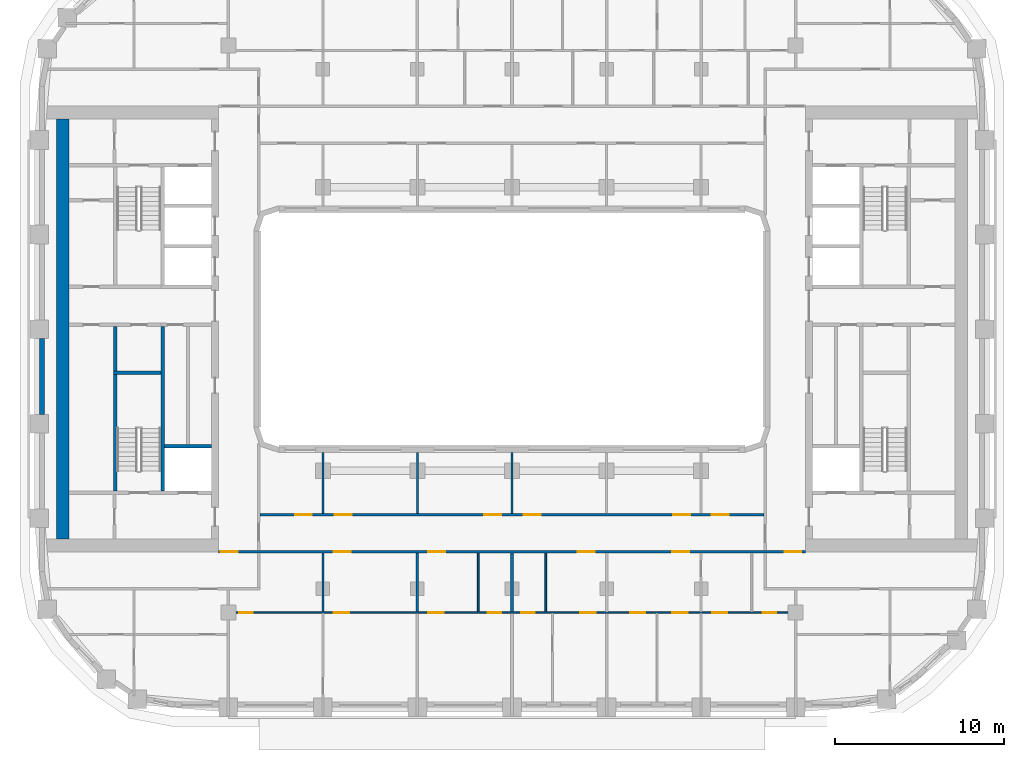
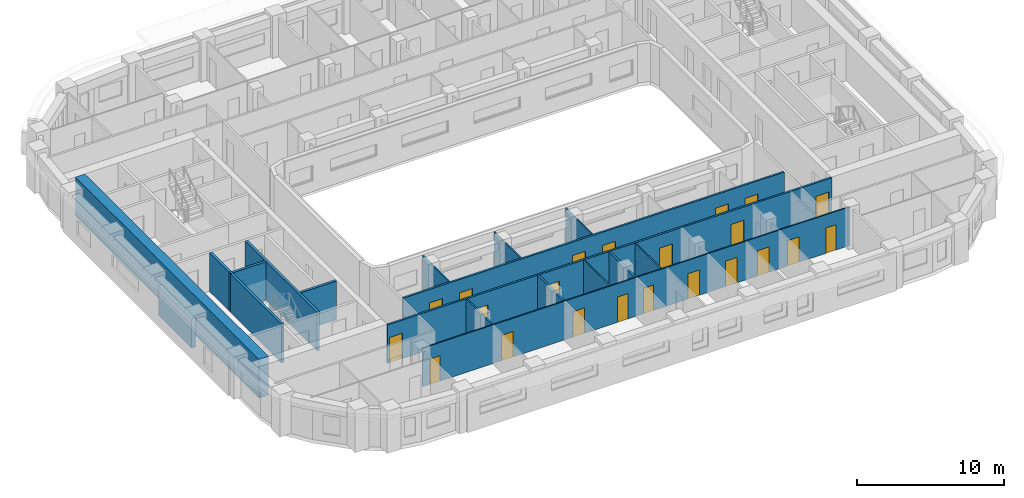
# One storey, part 3 of 22: 22 doors, 18 walls, 22 openings.
"""IFC4 building model written with IfcOpenShell, lengths in metres."""

from ifc_helpers import new_model, si_unit, direction, frame, frame_2d, origin, place, context, subcontext, project, spatial, rectangle, extrude, material, layer, layer_set, type_object, element, fill, save


model = new_model("IFC4")

# Units and contexts
model_context = context("Model", 3, precision=1e-05, world=origin(), true_north=direction((0.0, 1.0)))
body_context = subcontext(model_context, "Body", "Model", "MODEL_VIEW")
ifc_project = project(units=[si_unit("LENGTHUNIT", "METRE"), si_unit("AREAUNIT", "SQUARE_METRE"), si_unit("VOLUMEUNIT", "CUBIC_METRE"), si_unit("PLANEANGLEUNIT", "RADIAN"), si_unit("MASSUNIT", "GRAM", prefix="KILO")], contexts=[model_context])

# Site, building, storey
site_placement = place(None, origin())
site = spatial("IfcSite", under=ifc_project, at=site_placement, CompositionType="ELEMENT")
building_placement = place(site_placement, origin())
building = spatial("IfcBuilding", under=site, at=building_placement, Name="Kiln Ring Residences", CompositionType="ELEMENT")
storey_placement = place(building_placement, frame((0.0, 0.0, 143.10009765625)))
storey = spatial("IfcBuildingStorey", under=building, at=storey_placement, Name="L36", CompositionType="ELEMENT", Elevation=143.10009765625)

# Walls
ifc_material_1 = material(Name="Gypsum board on steel studs", Category="steel")
ifc_layer_1 = layer(ifc_material_1, 0.199951171875)
ifc_layer_set_1 = layer_set([ifc_layer_1], Name="CORE-PARTITION-200")
wall_type_1 = type_object("IfcWallType", Name="CORE-PARTITION-200", PredefinedType="PARTITIONING", material=ifc_layer_set_1)
wall_1_placement = place(storey_placement, frame((-23.5, -2.5, 0.0), z_axis=(0.0, 0.0, 1.0), x_axis=(0.0, 1.0, 0.0)))
element("IfcWall", 1, at=wall_1_placement, inside=storey, type_object=wall_type_1, Name="Core partition west L36 1", PredefinedType="PARTITIONING", context=body_context, shape_type="SweptSolid", body=[
    extrude(rectangle(XDim=2.64990234375, YDim=0.199951171875, at=frame_2d((1.324951171875, 0.0))), origin(), (0.0, 0.0, 1.0), 3.199951171875),
])
ifc_material_2 = material(Name="Gypsum shaft wall system")
ifc_layer_2 = layer(ifc_material_2, 0.199951171875)
ifc_layer_set_2 = layer_set([ifc_layer_2], Name="CORE-SHAFT-WALL-200")
wall_type_2 = type_object("IfcWallType", Name="CORE-SHAFT-WALL-200", PredefinedType="PARTITIONING", material=ifc_layer_set_2)
wall_2_placement = place(storey_placement, frame((-17.800048828125, -6.949951171875, 0.0), z_axis=(0.0, 0.0, 1.0), x_axis=(-1.0, 0.0, 0.0)))
element("IfcWall", 2, at=wall_2_placement, inside=storey, type_object=wall_type_2, Name="Core partition west L36 7", PredefinedType="PARTITIONING", context=body_context, shape_type="SweptSolid", body=[
    extrude(rectangle(XDim=2.800048828125, YDim=0.199951171875, at=frame_2d((1.39990234375, 0.0))), origin(), (0.0, 0.0, 1.0), 3.199951171875),
])
ifc_material_3 = material(Name="Concrete C40/50", Category="concrete")
ifc_layer_3 = layer(ifc_material_3, 0.199951171875)
ifc_layer_set_3 = layer_set([ifc_layer_3], Name="CORE-WALL-RC200")
wall_type_3 = type_object("IfcWallType", Name="CORE-WALL-RC200", PredefinedType="SHEAR", material=ifc_layer_set_3)
wall_3_placement = place(storey_placement, frame((-20.699951171875, -9.60009765625, 0.0), z_axis=(0.0, 0.0, 1.0), x_axis=(0.0, 1.0, 0.0)))
element("IfcWall", 3, at=wall_3_placement, inside=storey, type_object=wall_type_3, Name="Core wall west L36 2", PredefinedType="SHEAR", context=body_context, shape_type="SweptSolid", body=[
    extrude(rectangle(XDim=9.75, YDim=0.199951171875, at=frame_2d((4.875, 0.0))), origin(), (0.0, 0.0, 1.0), 3.199951171875),
])
wall_4_placement = place(storey_placement, frame((-23.5, -9.60009765625, 0.0), z_axis=(0.0, 0.0, 1.0), x_axis=(0.0, 1.0, 0.0)))
element("IfcWall", 4, at=wall_4_placement, inside=storey, type_object=wall_type_3, Name="Core wall west L36 11", PredefinedType="SHEAR", context=body_context, shape_type="SweptSolid", body=[
    extrude(rectangle(XDim=6.900146484375, YDim=0.199951171875, at=frame_2d((3.4501953125, 0.0))), origin(), (0.0, 0.0, 1.0), 3.199951171875),
])
wall_5_placement = place(storey_placement, frame((-20.800048828125, -2.60009765625, 0.0), z_axis=(0.0, 0.0, 1.0), x_axis=(-1.0, 0.0, 0.0)))
element("IfcWall", 5, at=wall_5_placement, inside=storey, type_object=wall_type_3, Name="Core wall west L36 12", PredefinedType="SHEAR", context=body_context, shape_type="SweptSolid", body=[
    extrude(rectangle(XDim=2.800048828125, YDim=0.199951171875, at=frame_2d((1.39990234375, 0.0))), origin(), (0.0, 0.0, 1.0), 3.199951171875),
])
ifc_material_4 = material(Name="Concrete C60/75", Category="concrete")
ifc_layer_4 = layer(ifc_material_4, 0.75)
ifc_layer_set_4 = layer_set([ifc_layer_4], Name="CORE-WALL-RC750")
wall_type_4 = type_object("IfcWallType", Name="CORE-WALL-RC750", PredefinedType="SHEAR", material=ifc_layer_set_4)
wall_6_placement = place(storey_placement, frame((-26.625, -12.449951171875, 0.0), z_axis=(0.0, 0.0, 1.0), x_axis=(0.0, 1.0, 0.0)))
element("IfcWall", 6, at=wall_6_placement, inside=storey, type_object=wall_type_4, Name="Core wall west L36 7", PredefinedType="SHEAR", context=body_context, shape_type="SweptSolid", body=[
    extrude(rectangle(XDim=24.89990234375, YDim=0.75, at=frame_2d((12.449951171875, 0.0))), origin(), (0.0, 0.0, 1.0), 3.199951171875),
])
ifc_material_5 = material(Name="Brick masonry, dark clay brick", Category="masonry")
ifc_layer_5 = layer(ifc_material_5, 0.300048828125)
ifc_layer_set_5 = layer_set([ifc_layer_5], Name="EW-300 BRICK WALL")
wall_type_5 = type_object("IfcWallType", Name="EW-300 BRICK WALL", PredefinedType="SOLIDWALL", material=ifc_layer_set_5)
wall_7_placement = place(storey_placement, frame((-27.85009765625, -0.550048828125, 0.0), z_axis=(0.0, 0.0, 1.0), x_axis=(0.0, -1.0, 0.0)))
element("IfcWall", 7, at=wall_7_placement, inside=storey, type_object=wall_type_5, Name="Facade wall L36 44", PredefinedType="SOLIDWALL", context=body_context, shape_type="SweptSolid", body=[
    extrude(rectangle(XDim=4.5, YDim=0.300048828125, at=frame_2d((2.25, 0.0))), origin(), (0.0, 0.0, 1.0), 2.449951171875),
])

# Wall, openings, doors
ifc_material_6 = material(Name="Gypsum board on steel studs", Category="steel")
ifc_layer_6 = layer(ifc_material_6, 0.10009765625)
ifc_layer_set_6 = layer_set([ifc_layer_6], Name="PARTITION-100")
wall_type_6 = type_object("IfcWallType", Name="PARTITION-100", PredefinedType="PARTITIONING", material=ifc_layer_set_6)
wall_8_placement = place(storey_placement, frame((-16.72509765625, -16.800048828125, 0.0), z_axis=(0.0, 0.0, 1.0), x_axis=(1.0, 0.0, 0.0)))
wall_8 = element("IfcWall", 8, at=wall_8_placement, inside=storey, type_object=wall_type_6, Name="Partition 002", PredefinedType="PARTITIONING", context=body_context, shape_type="SweptSolid", body=[
    extrude(rectangle(XDim=33.4501953125, YDim=0.10009765625, at=frame_2d((16.72509765625, 0.0))), origin(), (0.0, 0.0, 1.0), 3.199951171875),
])
opening_1_placement = place(wall_8_placement, frame((0.574951171875, 0.0, 0.0)))
opening_1 = element("IfcOpeningElement", 9, at=opening_1_placement, cuts=wall_8, Name="Opening L36-D050", PredefinedType="OPENING", context=body_context, shape_type="SweptSolid", body=[
    extrude(rectangle(XDim=0.800048828125, YDim=2.10009765625, at=frame_2d((0.39990234375, 1.050048828125))), frame((0.0, 0.06005859375, 0.0), z_axis=(0.0, -1.0, 0.0), x_axis=(1.0, 0.0, 0.0)), (0.0, 0.0, 1.0), 0.1201171875),
])
opening_2_placement = place(wall_8_placement, frame((6.175048828125, 0.0, 0.0)))
opening_2 = element("IfcOpeningElement", 10, at=opening_2_placement, cuts=wall_8, Name="Opening L36-D051", PredefinedType="OPENING", context=body_context, shape_type="SweptSolid", body=[
    extrude(rectangle(XDim=0.89990234375, YDim=2.10009765625, at=frame_2d((0.449951171875, 1.050048828125))), frame((0.0, 0.06005859375, 0.0), z_axis=(0.0, -1.0, 0.0), x_axis=(1.0, 0.0, 0.0)), (0.0, 0.0, 1.0), 0.1201171875),
])
opening_3_placement = place(wall_8_placement, frame((15.27490234375, 0.0, 0.0)))
opening_3 = element("IfcOpeningElement", 11, at=opening_3_placement, cuts=wall_8, Name="Opening L36-D054", PredefinedType="OPENING", context=body_context, shape_type="SweptSolid", body=[
    extrude(rectangle(XDim=0.800048828125, YDim=2.10009765625, at=frame_2d((0.39990234375, 1.050048828125))), frame((0.0, 0.06005859375, 0.0), z_axis=(0.0, -1.0, 0.0), x_axis=(1.0, 0.0, 0.0)), (0.0, 0.0, 1.0), 0.1201171875),
])
opening_4_placement = place(wall_8_placement, frame((11.77490234375, 0.0, 0.0)))
opening_4 = element("IfcOpeningElement", 12, at=opening_4_placement, cuts=wall_8, Name="Opening L36-D055", PredefinedType="OPENING", context=body_context, shape_type="SweptSolid", body=[
    extrude(rectangle(XDim=0.89990234375, YDim=2.10009765625, at=frame_2d((0.449951171875, 1.050048828125))), frame((0.0, 0.06005859375, 0.0), z_axis=(0.0, -1.0, 0.0), x_axis=(1.0, 0.0, 0.0)), (0.0, 0.0, 1.0), 0.1201171875),
])
opening_5_placement = place(wall_8_placement, frame((17.27490234375, 0.0, 0.0)))
opening_5 = element("IfcOpeningElement", 13, at=opening_5_placement, cuts=wall_8, Name="Opening L36-D057", PredefinedType="OPENING", context=body_context, shape_type="SweptSolid", body=[
    extrude(rectangle(XDim=0.800048828125, YDim=2.10009765625, at=frame_2d((0.39990234375, 1.050048828125))), frame((0.0, 0.06005859375, 0.0), z_axis=(0.0, -1.0, 0.0), x_axis=(1.0, 0.0, 0.0)), (0.0, 0.0, 1.0), 0.1201171875),
])
opening_6_placement = place(wall_8_placement, frame((20.77490234375, 0.0, 0.0)))
opening_6 = element("IfcOpeningElement", 14, at=opening_6_placement, cuts=wall_8, Name="Opening L36-D058", PredefinedType="OPENING", context=body_context, shape_type="SweptSolid", body=[
    extrude(rectangle(XDim=0.89990234375, YDim=2.10009765625, at=frame_2d((0.449951171875, 1.050048828125))), frame((0.0, 0.06005859375, 0.0), z_axis=(0.0, -1.0, 0.0), x_axis=(1.0, 0.0, 0.0)), (0.0, 0.0, 1.0), 0.1201171875),
])
opening_7_placement = place(wall_8_placement, frame((31.574951171875, 0.0, 0.0)))
opening_7 = element("IfcOpeningElement", 15, at=opening_7_placement, cuts=wall_8, Name="Opening L36-D062", PredefinedType="OPENING", context=body_context, shape_type="SweptSolid", body=[
    extrude(rectangle(XDim=0.800048828125, YDim=2.10009765625, at=frame_2d((0.39990234375, 1.050048828125))), frame((0.0, 0.06005859375, 0.0), z_axis=(0.0, -1.0, 0.0), x_axis=(1.0, 0.0, 0.0)), (0.0, 0.0, 1.0), 0.1201171875),
])
opening_8_placement = place(wall_8_placement, frame((28.574951171875, 0.0, 0.0)))
opening_8 = element("IfcOpeningElement", 16, at=opening_8_placement, cuts=wall_8, Name="Opening L36-D063", PredefinedType="OPENING", context=body_context, shape_type="SweptSolid", body=[
    extrude(rectangle(XDim=0.89990234375, YDim=2.10009765625, at=frame_2d((0.449951171875, 1.050048828125))), frame((0.0, 0.06005859375, 0.0), z_axis=(0.0, -1.0, 0.0), x_axis=(1.0, 0.0, 0.0)), (0.0, 0.0, 1.0), 0.1201171875),
])
opening_9_placement = place(wall_8_placement, frame((23.72509765625, 0.0, 0.0)))
opening_9 = element("IfcOpeningElement", 17, at=opening_9_placement, cuts=wall_8, Name="Opening L36-D064", PredefinedType="OPENING", context=body_context, shape_type="SweptSolid", body=[
    extrude(rectangle(XDim=0.89990234375, YDim=2.10009765625, at=frame_2d((0.449951171875, 1.050048828125))), frame((0.0, 0.06005859375, 0.0), z_axis=(0.0, -1.0, 0.0), x_axis=(1.0, 0.0, 0.0)), (0.0, 0.0, 1.0), 0.1201171875),
])
opening_10_placement = place(wall_8_placement, frame((26.22509765625, 0.0, 0.0)))
opening_10 = element("IfcOpeningElement", 18, at=opening_10_placement, cuts=wall_8, Name="Opening L36-D065", PredefinedType="OPENING", context=body_context, shape_type="SweptSolid", body=[
    extrude(rectangle(XDim=0.89990234375, YDim=2.10009765625, at=frame_2d((0.449951171875, 1.050048828125))), frame((0.0, 0.06005859375, 0.0), z_axis=(0.0, -1.0, 0.0), x_axis=(1.0, 0.0, 0.0)), (0.0, 0.0, 1.0), 0.1201171875),
])
ifc_material_7 = material(Name="Timber door leaf", Category="wood")
door_type_1 = type_object("IfcDoorType", Name="FLAT-DOOR-800-PL", OperationType="SINGLE_SWING_LEFT", PredefinedType="DOOR", material=ifc_material_7)
door_1_placement = place(opening_1_placement, origin())
door_1 = element("IfcDoor", 19, at=door_1_placement, inside=storey, type_object=door_type_1, Name="Door L36-D050", OperationType="SINGLE_SWING_RIGHT", OverallHeight=2.10009765625, OverallWidth=0.800048828125, PredefinedType="DOOR", context=body_context, shape_type="SweptSolid", body=[
    extrude(rectangle(XDim=0.800048828125, YDim=2.10009765625, at=frame_2d((0.39990234375, 1.050048828125))), frame((0.0, 0.02490234375, 0.0), z_axis=(0.0, -1.0, 0.0), x_axis=(1.0, 0.0, 0.0)), (0.0, 0.0, 1.0), 0.050048828125),
])
fill(opening_1, door_1)
door_2_placement = place(opening_3_placement, origin())
door_2 = element("IfcDoor", 20, at=door_2_placement, inside=storey, type_object=door_type_1, Name="Door L36-D054", OperationType="SINGLE_SWING_RIGHT", OverallHeight=2.10009765625, OverallWidth=0.800048828125, PredefinedType="DOOR", context=body_context, shape_type="SweptSolid", body=[
    extrude(rectangle(XDim=0.800048828125, YDim=2.10009765625, at=frame_2d((0.39990234375, 1.050048828125))), frame((0.0, 0.02490234375, 0.0), z_axis=(0.0, -1.0, 0.0), x_axis=(1.0, 0.0, 0.0)), (0.0, 0.0, 1.0), 0.050048828125),
])
fill(opening_3, door_2)
door_3_placement = place(opening_5_placement, origin())
door_3 = element("IfcDoor", 21, at=door_3_placement, inside=storey, type_object=door_type_1, Name="Door L36-D057", OperationType="SINGLE_SWING_LEFT", OverallHeight=2.10009765625, OverallWidth=0.800048828125, PredefinedType="DOOR", context=body_context, shape_type="SweptSolid", body=[
    extrude(rectangle(XDim=0.800048828125, YDim=2.10009765625, at=frame_2d((0.39990234375, 1.050048828125))), frame((0.0, 0.02490234375, 0.0), z_axis=(0.0, -1.0, 0.0), x_axis=(1.0, 0.0, 0.0)), (0.0, 0.0, 1.0), 0.050048828125),
])
fill(opening_5, door_3)
door_4_placement = place(opening_7_placement, origin())
door_4 = element("IfcDoor", 22, at=door_4_placement, inside=storey, type_object=door_type_1, Name="Door L36-D062", OperationType="SINGLE_SWING_RIGHT", OverallHeight=2.10009765625, OverallWidth=0.800048828125, PredefinedType="DOOR", context=body_context, shape_type="SweptSolid", body=[
    extrude(rectangle(XDim=0.800048828125, YDim=2.10009765625, at=frame_2d((0.39990234375, 1.050048828125))), frame((0.0, 0.02490234375, 0.0), z_axis=(0.0, -1.0, 0.0), x_axis=(1.0, 0.0, 0.0)), (0.0, 0.0, 1.0), 0.050048828125),
])
fill(opening_7, door_4)
ifc_material_8 = material(Name="Timber door leaf", Category="wood")
door_type_2 = type_object("IfcDoorType", Name="FLAT-DOOR-900-PL", OperationType="SINGLE_SWING_LEFT", PredefinedType="DOOR", material=ifc_material_8)
door_5_placement = place(opening_2_placement, origin())
door_5 = element("IfcDoor", 23, at=door_5_placement, inside=storey, type_object=door_type_2, Name="Door L36-D051", OperationType="SINGLE_SWING_LEFT", OverallHeight=2.10009765625, OverallWidth=0.89990234375, PredefinedType="DOOR", context=body_context, shape_type="SweptSolid", body=[
    extrude(rectangle(XDim=0.89990234375, YDim=2.10009765625, at=frame_2d((0.449951171875, 1.050048828125))), frame((0.0, 0.02490234375, 0.0), z_axis=(0.0, -1.0, 0.0), x_axis=(1.0, 0.0, 0.0)), (0.0, 0.0, 1.0), 0.050048828125),
])
fill(opening_2, door_5)
door_6_placement = place(opening_4_placement, origin())
door_6 = element("IfcDoor", 24, at=door_6_placement, inside=storey, type_object=door_type_2, Name="Door L36-D055", OperationType="SINGLE_SWING_LEFT", OverallHeight=2.10009765625, OverallWidth=0.89990234375, PredefinedType="DOOR", context=body_context, shape_type="SweptSolid", body=[
    extrude(rectangle(XDim=0.89990234375, YDim=2.10009765625, at=frame_2d((0.449951171875, 1.050048828125))), frame((0.0, 0.02490234375, 0.0), z_axis=(0.0, -1.0, 0.0), x_axis=(1.0, 0.0, 0.0)), (0.0, 0.0, 1.0), 0.050048828125),
])
fill(opening_4, door_6)
door_7_placement = place(opening_6_placement, origin())
door_7 = element("IfcDoor", 25, at=door_7_placement, inside=storey, type_object=door_type_2, Name="Door L36-D058", OperationType="SINGLE_SWING_RIGHT", OverallHeight=2.10009765625, OverallWidth=0.89990234375, PredefinedType="DOOR", context=body_context, shape_type="SweptSolid", body=[
    extrude(rectangle(XDim=0.89990234375, YDim=2.10009765625, at=frame_2d((0.449951171875, 1.050048828125))), frame((0.0, 0.02490234375, 0.0), z_axis=(0.0, -1.0, 0.0), x_axis=(1.0, 0.0, 0.0)), (0.0, 0.0, 1.0), 0.050048828125),
])
fill(opening_6, door_7)
door_8_placement = place(opening_8_placement, origin())
door_8 = element("IfcDoor", 26, at=door_8_placement, inside=storey, type_object=door_type_2, Name="Door L36-D063", OperationType="SINGLE_SWING_LEFT", OverallHeight=2.10009765625, OverallWidth=0.89990234375, PredefinedType="DOOR", context=body_context, shape_type="SweptSolid", body=[
    extrude(rectangle(XDim=0.89990234375, YDim=2.10009765625, at=frame_2d((0.449951171875, 1.050048828125))), frame((0.0, 0.02490234375, 0.0), z_axis=(0.0, -1.0, 0.0), x_axis=(1.0, 0.0, 0.0)), (0.0, 0.0, 1.0), 0.050048828125),
])
fill(opening_8, door_8)
door_9_placement = place(opening_9_placement, origin())
door_9 = element("IfcDoor", 27, at=door_9_placement, inside=storey, type_object=door_type_2, Name="Door L36-D064", OperationType="SINGLE_SWING_RIGHT", OverallHeight=2.10009765625, OverallWidth=0.89990234375, PredefinedType="DOOR", context=body_context, shape_type="SweptSolid", body=[
    extrude(rectangle(XDim=0.89990234375, YDim=2.10009765625, at=frame_2d((0.449951171875, 1.050048828125))), frame((0.0, 0.02490234375, 0.0), z_axis=(0.0, -1.0, 0.0), x_axis=(1.0, 0.0, 0.0)), (0.0, 0.0, 1.0), 0.050048828125),
])
fill(opening_9, door_9)
door_10_placement = place(opening_10_placement, origin())
door_10 = element("IfcDoor", 28, at=door_10_placement, inside=storey, type_object=door_type_2, Name="Door L36-D065", OperationType="SINGLE_SWING_LEFT", OverallHeight=2.10009765625, OverallWidth=0.89990234375, PredefinedType="DOOR", context=body_context, shape_type="SweptSolid", body=[
    extrude(rectangle(XDim=0.89990234375, YDim=2.10009765625, at=frame_2d((0.449951171875, 1.050048828125))), frame((0.0, 0.02490234375, 0.0), z_axis=(0.0, -1.0, 0.0), x_axis=(1.0, 0.0, 0.0)), (0.0, 0.0, 1.0), 0.050048828125),
])
fill(opening_10, door_10)

# Walls
wall_9_placement = place(storey_placement, frame((-11.199951171875, -16.75, 0.0), z_axis=(0.0, 0.0, 1.0), x_axis=(0.0, 1.0, 0.0)))
element("IfcWall", 29, at=wall_9_placement, inside=storey, type_object=wall_type_6, Name="Partition 025", PredefinedType="PARTITIONING", context=body_context, shape_type="SweptSolid", body=[
    extrude(rectangle(XDim=3.47509765625, YDim=0.10009765625, at=frame_2d((1.737548828125, 0.0))), origin(), (0.0, 0.0, 1.0), 3.199951171875),
])
for number, where, z_axis, x_axis, name in (
    (30, (-11.199951171875, -10.925048828125, 0.0), (0.0, 0.0, 1.0), (0.0, 1.0, 0.0), "Partition 026"),
    (31, (-5.60009765625, -10.925048828125, 0.0), (0.0, 0.0, 1.0), (0.0, 1.0, 0.0), "Partition 030"),
):
    element("IfcWall", number, at=place(storey_placement, frame(where, z_axis=z_axis, x_axis=x_axis)), inside=storey, type_object=wall_type_6, Name=name, PredefinedType="PARTITIONING", context=body_context, shape_type="SweptSolid", body=[
        extrude(rectangle(XDim=3.60498046875, YDim=0.10009765625, at=frame_2d((1.802490234375, 0.0))), origin(), (0.0, 0.0, 1.0), 3.199951171875),
    ])
wall_10_placement = place(storey_placement, frame((-2.0, -16.75, 0.0), z_axis=(0.0, 0.0, 1.0), x_axis=(0.0, 1.0, 0.0)))
element("IfcWall", 32, at=wall_10_placement, inside=storey, type_object=wall_type_6, Name="Partition 038", PredefinedType="PARTITIONING", context=body_context, shape_type="SweptSolid", body=[
    extrude(rectangle(XDim=3.47509765625, YDim=0.10009765625, at=frame_2d((1.737548828125, 0.0))), origin(), (0.0, 0.0, 1.0), 3.199951171875),
])
wall_11_placement = place(storey_placement, frame((0.0, -10.925048828125, 0.0), z_axis=(0.0, 0.0, 1.0), x_axis=(0.0, 1.0, 0.0)))
element("IfcWall", 33, at=wall_11_placement, inside=storey, type_object=wall_type_6, Name="Partition 039", PredefinedType="PARTITIONING", context=body_context, shape_type="SweptSolid", body=[
    extrude(rectangle(XDim=3.60498046875, YDim=0.10009765625, at=frame_2d((1.802490234375, 0.0))), origin(), (0.0, 0.0, 1.0), 3.199951171875),
])
wall_12_placement = place(storey_placement, frame((2.0, -16.75, 0.0), z_axis=(0.0, 0.0, 1.0), x_axis=(0.0, 1.0, 0.0)))
element("IfcWall", 34, at=wall_12_placement, inside=storey, type_object=wall_type_6, Name="Partition 045", PredefinedType="PARTITIONING", context=body_context, shape_type="SweptSolid", body=[
    extrude(rectangle(XDim=3.47509765625, YDim=0.10009765625, at=frame_2d((1.737548828125, 0.0))), origin(), (0.0, 0.0, 1.0), 3.199951171875),
])

# Wall, openings, doors
ifc_material_9 = material(Name="Brick masonry partition", Category="masonry")
ifc_layer_7 = layer(ifc_material_9, 0.14990234375)
ifc_layer_set_7 = layer_set([ifc_layer_7], Name="PARTITION-150-ei60")
wall_type_7 = type_object("IfcWallType", Name="PARTITION-150-ei60", PredefinedType="PARTITIONING", material=ifc_layer_set_7)
wall_13_placement = place(storey_placement, frame((-17.39990234375, -13.199951171875, 0.0), z_axis=(0.0, 0.0, 1.0), x_axis=(1.0, 0.0, 0.0)))
wall_13 = element("IfcWall", 35, at=wall_13_placement, inside=storey, type_object=wall_type_7, Name="Partition 005", PredefinedType="PARTITIONING", context=body_context, shape_type="SweptSolid", body=[
    extrude(rectangle(XDim=34.7998046875, YDim=0.14990234375, at=frame_2d((17.39990234375, 0.0))), origin(), (0.0, 0.0, 1.0), 3.199951171875),
])
opening_11_placement = place(wall_13_placement, frame((0.14990234375, 0.0, 0.0)))
opening_11 = element("IfcOpeningElement", 36, at=opening_11_placement, cuts=wall_13, Name="Opening L36-D007", PredefinedType="OPENING", context=body_context, shape_type="SweptSolid", body=[
    extrude(rectangle(XDim=1.0, YDim=2.10009765625, at=frame_2d((0.5, 1.050048828125))), frame((0.0, 0.0849609375, 0.0), z_axis=(0.0, -1.0, 0.0), x_axis=(1.0, 0.0, 0.0)), (0.0, 0.0, 1.0), 0.169921875),
])
opening_12_placement = place(wall_13_placement, frame((33.550048828125, 0.0, 0.0)))
opening_12 = element("IfcOpeningElement", 37, at=opening_12_placement, cuts=wall_13, Name="Opening L36-D008", PredefinedType="OPENING", context=body_context, shape_type="SweptSolid", body=[
    extrude(rectangle(XDim=1.0, YDim=2.10009765625, at=frame_2d((0.5, 1.050048828125))), frame((0.0, 0.0849609375, 0.0), z_axis=(0.0, -1.0, 0.0), x_axis=(1.0, 0.0, 0.0)), (0.0, 0.0, 1.0), 0.169921875),
])
opening_13_placement = place(wall_13_placement, frame((6.85009765625, 0.0, 0.0)))
opening_13 = element("IfcOpeningElement", 38, at=opening_13_placement, cuts=wall_13, Name="Opening L36-D049", PredefinedType="OPENING", context=body_context, shape_type="SweptSolid", body=[
    extrude(rectangle(XDim=1.0, YDim=2.10009765625, at=frame_2d((0.5, 1.050048828125))), frame((0.0, 0.0849609375, 0.0), z_axis=(0.0, -1.0, 0.0), x_axis=(1.0, 0.0, 0.0)), (0.0, 0.0, 1.0), 0.169921875),
])
opening_14_placement = place(wall_13_placement, frame((12.449951171875, 0.0, 0.0)))
opening_14 = element("IfcOpeningElement", 39, at=opening_14_placement, cuts=wall_13, Name="Opening L36-D053", PredefinedType="OPENING", context=body_context, shape_type="SweptSolid", body=[
    extrude(rectangle(XDim=1.0, YDim=2.10009765625, at=frame_2d((0.5, 1.050048828125))), frame((0.0, 0.0849609375, 0.0), z_axis=(0.0, -1.0, 0.0), x_axis=(1.0, 0.0, 0.0)), (0.0, 0.0, 1.0), 0.169921875),
])
opening_15_placement = place(wall_13_placement, frame((21.300048828125, 0.0, 0.0)))
opening_15 = element("IfcOpeningElement", 40, at=opening_15_placement, cuts=wall_13, Name="Opening L36-D056", PredefinedType="OPENING", context=body_context, shape_type="SweptSolid", body=[
    extrude(rectangle(XDim=1.0, YDim=2.10009765625, at=frame_2d((0.5, 1.050048828125))), frame((0.0, 0.0849609375, 0.0), z_axis=(0.0, -1.0, 0.0), x_axis=(1.0, 0.0, 0.0)), (0.0, 0.0, 1.0), 0.169921875),
])
opening_16_placement = place(wall_13_placement, frame((26.89990234375, 0.0, 0.0)))
opening_16 = element("IfcOpeningElement", 41, at=opening_16_placement, cuts=wall_13, Name="Opening L36-D060", PredefinedType="OPENING", context=body_context, shape_type="SweptSolid", body=[
    extrude(rectangle(XDim=1.0, YDim=2.10009765625, at=frame_2d((0.5, 1.050048828125))), frame((0.0, 0.0849609375, 0.0), z_axis=(0.0, -1.0, 0.0), x_axis=(1.0, 0.0, 0.0)), (0.0, 0.0, 1.0), 0.169921875),
])
ifc_material_10 = material(Name="Steel faced fire door leaf", Category="steel")
door_type_3 = type_object("IfcDoorType", Name="FLAT-DOOR-1000-FR", OperationType="SINGLE_SWING_LEFT", PredefinedType="DOOR", material=ifc_material_10)
door_11_placement = place(opening_11_placement, origin())
door_11 = element("IfcDoor", 42, at=door_11_placement, inside=storey, type_object=door_type_3, Name="Door L36-D007", OperationType="SINGLE_SWING_RIGHT", OverallHeight=2.10009765625, OverallWidth=1.0, PredefinedType="DOOR", context=body_context, shape_type="SweptSolid", body=[
    extrude(rectangle(XDim=1.0, YDim=2.10009765625, at=frame_2d((0.5, 1.050048828125))), frame((0.0, 0.02490234375, 0.0), z_axis=(0.0, -1.0, 0.0), x_axis=(1.0, 0.0, 0.0)), (0.0, 0.0, 1.0), 0.050048828125),
])
fill(opening_11, door_11)
door_12_placement = place(opening_12_placement, origin())
door_12 = element("IfcDoor", 43, at=door_12_placement, inside=storey, type_object=door_type_3, Name="Door L36-D008", OperationType="SINGLE_SWING_LEFT", OverallHeight=2.10009765625, OverallWidth=1.0, PredefinedType="DOOR", context=body_context, shape_type="SweptSolid", body=[
    extrude(rectangle(XDim=1.0, YDim=2.10009765625, at=frame_2d((0.5, 1.050048828125))), frame((0.0, 0.02490234375, 0.0), z_axis=(0.0, -1.0, 0.0), x_axis=(1.0, 0.0, 0.0)), (0.0, 0.0, 1.0), 0.050048828125),
])
fill(opening_12, door_12)
door_13_placement = place(opening_13_placement, origin())
door_13 = element("IfcDoor", 44, at=door_13_placement, inside=storey, type_object=door_type_3, Name="Door L36-D049", OperationType="SINGLE_SWING_LEFT", OverallHeight=2.10009765625, OverallWidth=1.0, PredefinedType="DOOR", context=body_context, shape_type="SweptSolid", body=[
    extrude(rectangle(XDim=1.0, YDim=2.10009765625, at=frame_2d((0.5, 1.050048828125))), frame((0.0, 0.02490234375, 0.0), z_axis=(0.0, -1.0, 0.0), x_axis=(1.0, 0.0, 0.0)), (0.0, 0.0, 1.0), 0.050048828125),
])
fill(opening_13, door_13)
door_14_placement = place(opening_14_placement, origin())
door_14 = element("IfcDoor", 45, at=door_14_placement, inside=storey, type_object=door_type_3, Name="Door L36-D053", OperationType="SINGLE_SWING_LEFT", OverallHeight=2.10009765625, OverallWidth=1.0, PredefinedType="DOOR", context=body_context, shape_type="SweptSolid", body=[
    extrude(rectangle(XDim=1.0, YDim=2.10009765625, at=frame_2d((0.5, 1.050048828125))), frame((0.0, 0.02490234375, 0.0), z_axis=(0.0, -1.0, 0.0), x_axis=(1.0, 0.0, 0.0)), (0.0, 0.0, 1.0), 0.050048828125),
])
fill(opening_14, door_14)
door_15_placement = place(opening_15_placement, origin())
door_15 = element("IfcDoor", 46, at=door_15_placement, inside=storey, type_object=door_type_3, Name="Door L36-D056", OperationType="SINGLE_SWING_RIGHT", OverallHeight=2.10009765625, OverallWidth=1.0, PredefinedType="DOOR", context=body_context, shape_type="SweptSolid", body=[
    extrude(rectangle(XDim=1.0, YDim=2.10009765625, at=frame_2d((0.5, 1.050048828125))), frame((0.0, 0.02490234375, 0.0), z_axis=(0.0, -1.0, 0.0), x_axis=(1.0, 0.0, 0.0)), (0.0, 0.0, 1.0), 0.050048828125),
])
fill(opening_15, door_15)
door_16_placement = place(opening_16_placement, origin())
door_16 = element("IfcDoor", 47, at=door_16_placement, inside=storey, type_object=door_type_3, Name="Door L36-D060", OperationType="SINGLE_SWING_RIGHT", OverallHeight=2.10009765625, OverallWidth=1.0, PredefinedType="DOOR", context=body_context, shape_type="SweptSolid", body=[
    extrude(rectangle(XDim=1.0, YDim=2.10009765625, at=frame_2d((0.5, 1.050048828125))), frame((0.0, 0.02490234375, 0.0), z_axis=(0.0, -1.0, 0.0), x_axis=(1.0, 0.0, 0.0)), (0.0, 0.0, 1.0), 0.050048828125),
])
fill(opening_16, door_16)

wall_14_placement = place(storey_placement, frame((-14.925048828125, -11.0, 0.0), z_axis=(0.0, 0.0, 1.0), x_axis=(1.0, 0.0, 0.0)))
wall_14 = element("IfcWall", 48, at=wall_14_placement, inside=storey, type_object=wall_type_7, Name="Partition 006", PredefinedType="PARTITIONING", context=body_context, shape_type="SweptSolid", body=[
    extrude(rectangle(XDim=29.85009765625, YDim=0.14990234375, at=frame_2d((14.925048828125, 0.0))), origin(), (0.0, 0.0, 1.0), 3.199951171875),
])
opening_17_placement = place(wall_14_placement, frame((2.074951171875, 0.0, 0.0)))
opening_17 = element("IfcOpeningElement", 49, at=opening_17_placement, cuts=wall_14, Name="Opening L36-D043", PredefinedType="OPENING", context=body_context, shape_type="SweptSolid", body=[
    extrude(rectangle(XDim=1.0, YDim=2.10009765625, at=frame_2d((0.5, 1.050048828125))), frame((0.0, 0.0849609375, 0.0), z_axis=(0.0, -1.0, 0.0), x_axis=(1.0, 0.0, 0.0)), (0.0, 0.0, 1.0), 0.169921875),
])
opening_18_placement = place(wall_14_placement, frame((4.425048828125, 0.0, 0.0)))
opening_18 = element("IfcOpeningElement", 50, at=opening_18_placement, cuts=wall_14, Name="Opening L36-D044", PredefinedType="OPENING", context=body_context, shape_type="SweptSolid", body=[
    extrude(rectangle(XDim=1.0, YDim=2.10009765625, at=frame_2d((0.5, 1.050048828125))), frame((0.0, 0.0849609375, 0.0), z_axis=(0.0, -1.0, 0.0), x_axis=(1.0, 0.0, 0.0)), (0.0, 0.0, 1.0), 0.169921875),
])
opening_19_placement = place(wall_14_placement, frame((13.27490234375, 0.0, 0.0)))
opening_19 = element("IfcOpeningElement", 51, at=opening_19_placement, cuts=wall_14, Name="Opening L36-D045", PredefinedType="OPENING", context=body_context, shape_type="SweptSolid", body=[
    extrude(rectangle(XDim=1.0, YDim=2.10009765625, at=frame_2d((0.5, 1.050048828125))), frame((0.0, 0.0849609375, 0.0), z_axis=(0.0, -1.0, 0.0), x_axis=(1.0, 0.0, 0.0)), (0.0, 0.0, 1.0), 0.169921875),
])
opening_20_placement = place(wall_14_placement, frame((15.625, 0.0, 0.0)))
opening_20 = element("IfcOpeningElement", 52, at=opening_20_placement, cuts=wall_14, Name="Opening L36-D046", PredefinedType="OPENING", context=body_context, shape_type="SweptSolid", body=[
    extrude(rectangle(XDim=1.0, YDim=2.10009765625, at=frame_2d((0.5, 1.050048828125))), frame((0.0, 0.0849609375, 0.0), z_axis=(0.0, -1.0, 0.0), x_axis=(1.0, 0.0, 0.0)), (0.0, 0.0, 1.0), 0.169921875),
])
opening_21_placement = place(wall_14_placement, frame((24.47509765625, 0.0, 0.0)))
opening_21 = element("IfcOpeningElement", 53, at=opening_21_placement, cuts=wall_14, Name="Opening L36-D047", PredefinedType="OPENING", context=body_context, shape_type="SweptSolid", body=[
    extrude(rectangle(XDim=1.0, YDim=2.10009765625, at=frame_2d((0.5, 1.050048828125))), frame((0.0, 0.0849609375, 0.0), z_axis=(0.0, -1.0, 0.0), x_axis=(1.0, 0.0, 0.0)), (0.0, 0.0, 1.0), 0.169921875),
])
opening_22_placement = place(wall_14_placement, frame((26.77392578125, 0.0, 0.0)))
opening_22 = element("IfcOpeningElement", 54, at=opening_22_placement, cuts=wall_14, Name="Opening L36-D048", PredefinedType="OPENING", context=body_context, shape_type="SweptSolid", body=[
    extrude(rectangle(XDim=1.0, YDim=2.10009765625, at=frame_2d((0.5, 1.050048828125))), frame((0.0, 0.0849609375, 0.0), z_axis=(0.0, -1.0, 0.0), x_axis=(1.0, 0.0, 0.0)), (0.0, 0.0, 1.0), 0.169921875),
])
door_17_placement = place(opening_17_placement, origin())
door_17 = element("IfcDoor", 55, at=door_17_placement, inside=storey, type_object=door_type_3, Name="Door L36-D043", OperationType="SINGLE_SWING_LEFT", OverallHeight=2.10009765625, OverallWidth=1.0, PredefinedType="DOOR", context=body_context, shape_type="SweptSolid", body=[
    extrude(rectangle(XDim=1.0, YDim=2.10009765625, at=frame_2d((0.5, 1.050048828125))), frame((0.0, 0.02490234375, 0.0), z_axis=(0.0, -1.0, 0.0), x_axis=(1.0, 0.0, 0.0)), (0.0, 0.0, 1.0), 0.050048828125),
])
fill(opening_17, door_17)
door_18_placement = place(opening_18_placement, origin())
door_18 = element("IfcDoor", 56, at=door_18_placement, inside=storey, type_object=door_type_3, Name="Door L36-D044", OperationType="SINGLE_SWING_RIGHT", OverallHeight=2.10009765625, OverallWidth=1.0, PredefinedType="DOOR", context=body_context, shape_type="SweptSolid", body=[
    extrude(rectangle(XDim=1.0, YDim=2.10009765625, at=frame_2d((0.5, 1.050048828125))), frame((0.0, 0.02490234375, 0.0), z_axis=(0.0, -1.0, 0.0), x_axis=(1.0, 0.0, 0.0)), (0.0, 0.0, 1.0), 0.050048828125),
])
fill(opening_18, door_18)
door_19_placement = place(opening_19_placement, origin())
door_19 = element("IfcDoor", 57, at=door_19_placement, inside=storey, type_object=door_type_3, Name="Door L36-D045", OperationType="SINGLE_SWING_LEFT", OverallHeight=2.10009765625, OverallWidth=1.0, PredefinedType="DOOR", context=body_context, shape_type="SweptSolid", body=[
    extrude(rectangle(XDim=1.0, YDim=2.10009765625, at=frame_2d((0.5, 1.050048828125))), frame((0.0, 0.02490234375, 0.0), z_axis=(0.0, -1.0, 0.0), x_axis=(1.0, 0.0, 0.0)), (0.0, 0.0, 1.0), 0.050048828125),
])
fill(opening_19, door_19)
door_20_placement = place(opening_20_placement, origin())
door_20 = element("IfcDoor", 58, at=door_20_placement, inside=storey, type_object=door_type_3, Name="Door L36-D046", OperationType="SINGLE_SWING_RIGHT", OverallHeight=2.10009765625, OverallWidth=1.0, PredefinedType="DOOR", context=body_context, shape_type="SweptSolid", body=[
    extrude(rectangle(XDim=1.0, YDim=2.10009765625, at=frame_2d((0.5, 1.050048828125))), frame((0.0, 0.02490234375, 0.0), z_axis=(0.0, -1.0, 0.0), x_axis=(1.0, 0.0, 0.0)), (0.0, 0.0, 1.0), 0.050048828125),
])
fill(opening_20, door_20)
door_21_placement = place(opening_21_placement, origin())
door_21 = element("IfcDoor", 59, at=door_21_placement, inside=storey, type_object=door_type_3, Name="Door L36-D047", OperationType="SINGLE_SWING_LEFT", OverallHeight=2.10009765625, OverallWidth=1.0, PredefinedType="DOOR", context=body_context, shape_type="SweptSolid", body=[
    extrude(rectangle(XDim=1.0, YDim=2.10009765625, at=frame_2d((0.5, 1.050048828125))), frame((0.0, 0.02490234375, 0.0), z_axis=(0.0, -1.0, 0.0), x_axis=(1.0, 0.0, 0.0)), (0.0, 0.0, 1.0), 0.050048828125),
])
fill(opening_21, door_21)
door_22_placement = place(opening_22_placement, origin())
door_22 = element("IfcDoor", 60, at=door_22_placement, inside=storey, type_object=door_type_3, Name="Door L36-D048", OperationType="SINGLE_SWING_RIGHT", OverallHeight=2.10009765625, OverallWidth=1.0, PredefinedType="DOOR", context=body_context, shape_type="SweptSolid", body=[
    extrude(rectangle(XDim=1.0, YDim=2.10009765625, at=frame_2d((0.5, 1.050048828125))), frame((0.0, 0.02490234375, 0.0), z_axis=(0.0, -1.0, 0.0), x_axis=(1.0, 0.0, 0.0)), (0.0, 0.0, 1.0), 0.050048828125),
])
fill(opening_22, door_22)

# Walls
for number, where, z_axis, x_axis, name in (
    (61, (-5.60009765625, -16.75, 0.0), (0.0, 0.0, 1.0), (0.0, 1.0, 0.0), "Partition 033"),
    (62, (0.0, -16.75, 0.0), (0.0, 0.0, 1.0), (0.0, 1.0, 0.0), "Partition 042"),
):
    element("IfcWall", number, at=place(storey_placement, frame(where, z_axis=z_axis, x_axis=x_axis)), inside=storey, type_object=wall_type_7, Name=name, PredefinedType="PARTITIONING", context=body_context, shape_type="SweptSolid", body=[
        extrude(rectangle(XDim=3.47509765625, YDim=0.14990234375, at=frame_2d((1.737548828125, 0.0))), origin(), (0.0, 0.0, 1.0), 3.199951171875),
    ])

save(model, "model.ifc")
